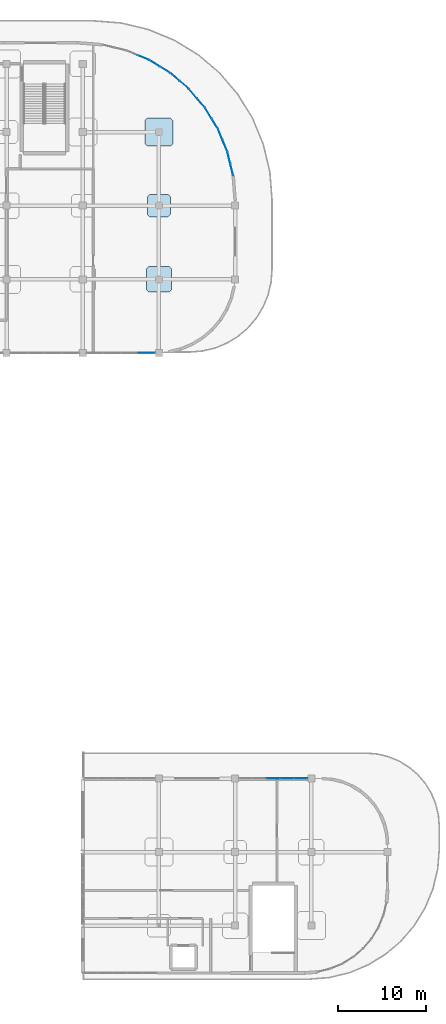
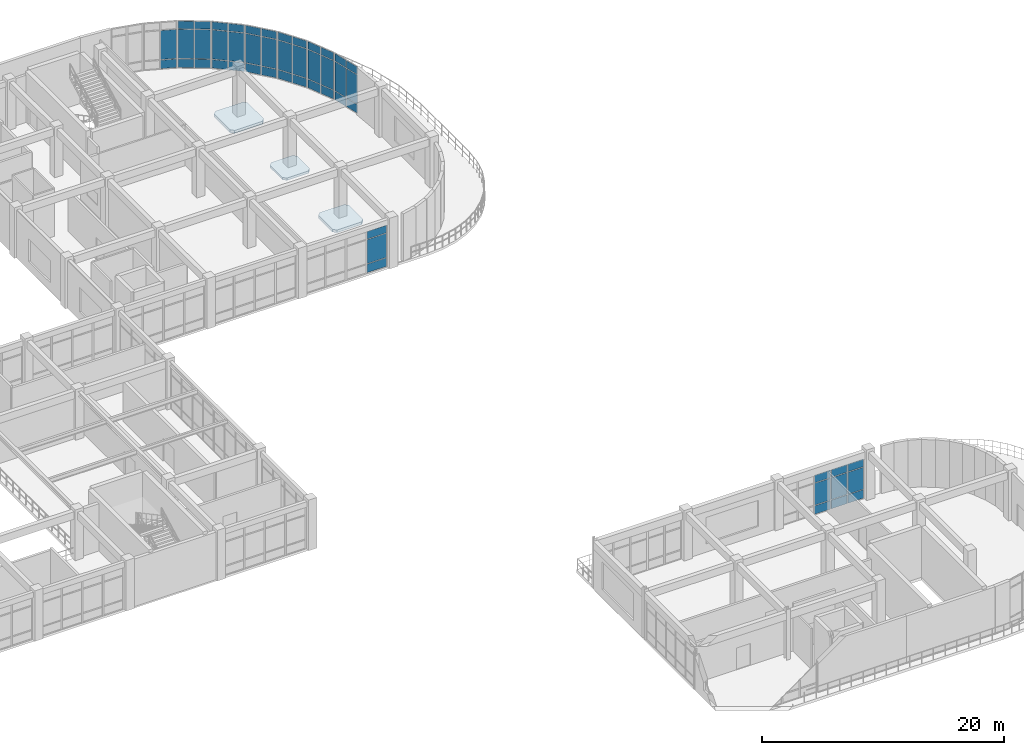
# One storey, part 77 of 96: 50 plates, 3 slabs, 9 elements without a shape of their own.
"""IFC4 building model written with IfcOpenShell, lengths in metres."""

from ifc_helpers import new_model, si_unit, derived_unit, direction, frame, origin, origin_2d, place, context, subcontext, project, spatial, polyline, rectangle, outline, extrude, material, layer, layer_set, type_object, element, aggregate, save


model = new_model("IFC4")

# Units and contexts
model_context = context("Model", 3, precision=1e-05, world=origin(), true_north=direction((0.0, 1.0)))
body_context = subcontext(model_context, "Body", "Model", "MODEL_VIEW")
ifc_project = project(units=[si_unit("LENGTHUNIT", "METRE"), si_unit("AREAUNIT", "SQUARE_METRE"), si_unit("VOLUMEUNIT", "CUBIC_METRE"), si_unit("PLANEANGLEUNIT", "RADIAN"), si_unit("MASSUNIT", "GRAM", prefix="KILO"), derived_unit("THERMALTRANSMITTANCEUNIT", [(si_unit("MASSUNIT", "GRAM", prefix="KILO"), 1), (si_unit("TIMEUNIT", "SECOND"), -3), (si_unit("THERMODYNAMICTEMPERATUREUNIT", "KELVIN"), -1)])], contexts=[model_context])

# Site, building, storey
site_placement = place(None, origin())
site = spatial("IfcSite", under=ifc_project, at=site_placement, CompositionType="ELEMENT")
building_placement = place(site_placement, origin())
building = spatial("IfcBuilding", under=site, at=building_placement, Name="Qinzheling Arcade Emporium", CompositionType="ELEMENT")
storey_placement = place(building_placement, frame((0.0, 0.0, 21.60009765625)))
storey = spatial("IfcBuildingStorey", under=building, at=storey_placement, Name="L05", CompositionType="ELEMENT", Elevation=21.60009765625)

# Slabs
ifc_material_1 = material(Name="Concrete C40", Category="concrete")
ifc_layer_1 = layer(ifc_material_1, 0.235107421875, Name="Concrete C40", Category="concrete")
ifc_layer_set_1 = layer_set([ifc_layer_1], Name="Concrete C40")
slab_type_1 = type_object("IfcSlabType", Name="Column Head Drop Panel 2600x2600x235 C40", PredefinedType="USERDEFINED", material=ifc_layer_set_1)
slab_1_placement = place(storey_placement, frame((0.0, 0.0, -0.5)))
element("IfcSlab", 1, at=slab_1_placement, inside=storey, type_object=slab_type_1, Name="Column Drop Panel DP-L05-16-L", ObjectType="DROP_PANEL", PredefinedType="USERDEFINED", context=body_context, shape_type="SweptSolid", body=[
    extrude(outline(polyline([(129.47998046875, 89.300048828125), (131.52001953125, 89.300048828125), (131.800048828125, 89.580078125), (131.800048828125, 91.6201171875), (131.52001953125, 91.89990234375), (129.47998046875, 91.89990234375), (129.199951171875, 91.6201171875), (129.199951171875, 89.580078125), (129.47998046875, 89.300048828125)])), origin(), (0.0, 0.0, 1.0), 0.23486328125),
])
ifc_layer_2 = layer(ifc_material_1, 0.27001953125, Name="Concrete C40", Category="concrete")
ifc_layer_set_2 = layer_set([ifc_layer_2], Name="Concrete C40")
slab_type_2 = type_object("IfcSlabType", Name="Column Head Drop Panel 2900x2900x270 C40", PredefinedType="USERDEFINED", material=ifc_layer_set_2)
slab_2_placement = place(storey_placement, frame((0.0, 0.0, -0.53515625)))
element("IfcSlab", 2, at=slab_2_placement, inside=storey, type_object=slab_type_2, Name="Column Drop Panel DP-L05-16-K", ObjectType="DROP_PANEL", PredefinedType="USERDEFINED", context=body_context, shape_type="SweptSolid", body=[
    extrude(outline(polyline([(129.330078125, 80.75), (131.669921875, 80.75), (131.949951171875, 81.030029296875), (131.949951171875, 83.3701171875), (131.669921875, 83.64990234375), (129.330078125, 83.64990234375), (129.050048828125, 83.3701171875), (129.050048828125, 81.030029296875), (129.330078125, 80.75)])), origin(), (0.0, 0.0, 1.0), 0.27001953125),
])
ifc_layer_3 = layer(ifc_material_1, 0.300048828125, Name="Concrete C40", Category="concrete")
ifc_layer_set_3 = layer_set([ifc_layer_3], Name="Concrete C40")
slab_type_3 = type_object("IfcSlabType", Name="Column Head Drop Panel 3200x3200x300 C40", PredefinedType="USERDEFINED", material=ifc_layer_set_3)
slab_3_placement = place(storey_placement, frame((0.0, 0.0, -0.565185546875)))
element("IfcSlab", 3, at=slab_3_placement, inside=storey, type_object=slab_type_3, Name="Column Drop Panel DP-L05-16-M", ObjectType="DROP_PANEL", PredefinedType="USERDEFINED", context=body_context, shape_type="SweptSolid", body=[
    extrude(outline(polyline([(129.179931640625, 97.39990234375), (131.820068359375, 97.39990234375), (132.10009765625, 97.679931640625), (132.10009765625, 100.320068359375), (131.820068359375, 100.60009765625), (129.179931640625, 100.60009765625), (128.89990234375, 100.320068359375), (128.89990234375, 97.679931640625), (129.179931640625, 97.39990234375)])), origin(), (0.0, 0.0, 1.0), 0.300048828125),
])

# Curtain wall, plates
ifc_material_2 = material(Name="Anodised aluminium and solar-control double glazing", Category="aluminium")
ifc_layer_4 = layer(ifc_material_2, 0.159912109375, Name="Anodised aluminium and solar-control double glazing", Category="aluminium")
ifc_layer_set_4 = layer_set([ifc_layer_4], Name="Anodised aluminium and solar-control double glazing")
curtain_wall_type_1 = type_object("IfcCurtainWallType", Name="Curved Ribbon Sales Curtain Wall", PredefinedType="NOTDEFINED", material=ifc_layer_set_4)
curtain_wall_1_placement = place(storey_placement, origin())
curtain_wall_1 = element("IfcCurtainWall", 4, at=curtain_wall_1_placement, inside=storey, type_object=curtain_wall_type_1, Name="Curtain Wall CW-L05-336", PredefinedType="NOTDEFINED")
ifc_material_3 = material(Name="Laminated solar-control double glazing", Category="glass")
ifc_layer_5 = layer(ifc_material_3, 0.02587890625, Name="Laminated solar-control double glazing", Category="glass")
ifc_layer_set_5 = layer_set([ifc_layer_5], Name="Laminated solar-control double glazing")
plate_type_1 = type_object("IfcPlateType", Name="Low-E Double Glazed Curtain Panel 26mm", PredefinedType="CURTAIN_PANEL", material=ifc_layer_set_5)
plate_1_placement = place(storey_placement, frame((128.70556640625, 107.513916015625, 0.06005859375), z_axis=(0.0, 0.0, 1.0), x_axis=(0.923891721508, -0.382654004198, 0.0)))
plate_1 = element("IfcPlate", 5, at=plate_1_placement, type_object=plate_type_1, Name="CW02 panel 2.1", PredefinedType="CURTAIN_PANEL", context=body_context, shape_type="SweptSolid", body=[
    extrude(rectangle(XDim=1.322509765625, YDim=0.02587890625, at=origin_2d()), origin(), (0.0, 0.0, 1.0), 0.860107421875),
])
plate_2_placement = place(storey_placement, frame((128.70556640625, 107.513916015625, 0.97998046875), z_axis=(0.0, 0.0, 1.0), x_axis=(0.923891721508, -0.382654004198, 0.0)))
plate_2 = element("IfcPlate", 6, at=plate_2_placement, type_object=plate_type_1, Name="CW02 panel 2.2", PredefinedType="CURTAIN_PANEL", context=body_context, shape_type="SweptSolid", body=[
    extrude(rectangle(XDim=1.322509765625, YDim=0.02587890625, at=origin_2d()), origin(), (0.0, 0.0, 1.0), 2.929931640625),
])
aggregate(curtain_wall_1, [plate_1, plate_2])

curtain_wall_2_placement = place(storey_placement, origin())
curtain_wall_2 = element("IfcCurtainWall", 7, at=curtain_wall_2_placement, inside=storey, type_object=curtain_wall_type_1, Name="Curtain Wall CW-L05-337", PredefinedType="NOTDEFINED")
ifc_layer_6 = layer(ifc_material_3, 0.027099609375, Name="Laminated solar-control double glazing", Category="glass")
ifc_layer_set_6 = layer_set([ifc_layer_6], Name="Laminated solar-control double glazing")
plate_type_2 = type_object("IfcPlateType", Name="Low-E Double Glazed Curtain Panel 27mm", PredefinedType="CURTAIN_PANEL", material=ifc_layer_set_6)
plate_3_placement = place(storey_placement, frame((129.98681640625, 106.861083984375, 0.06005859375), z_axis=(0.0, 0.0, 1.0), x_axis=(0.852580897222, -0.522595267575, 0.0)))
plate_3 = element("IfcPlate", 8, at=plate_3_placement, type_object=plate_type_2, Name="CW02 panel 1.1", PredefinedType="CURTAIN_PANEL", context=body_context, shape_type="SweptSolid", body=[
    extrude(rectangle(XDim=1.322265625, YDim=0.027099609375, at=origin_2d()), origin(), (0.0, 0.0, 1.0), 0.860107421875),
])
plate_4_placement = place(storey_placement, frame((129.98681640625, 106.861083984375, 0.97998046875), z_axis=(0.0, 0.0, 1.0), x_axis=(0.852580897222, -0.522595267575, 0.0)))
plate_4 = element("IfcPlate", 9, at=plate_4_placement, type_object=plate_type_2, Name="CW02 panel 1.2", PredefinedType="CURTAIN_PANEL", context=body_context, shape_type="SweptSolid", body=[
    extrude(rectangle(XDim=1.322265625, YDim=0.027099609375, at=origin_2d()), origin(), (0.0, 0.0, 1.0), 2.929931640625),
])
plate_5_placement = place(storey_placement, frame((129.98681640625, 106.861083984375, 3.9697265625), z_axis=(0.0, 0.0, 1.0), x_axis=(0.852580897222, -0.522595267575, 0.0)))
plate_5 = element("IfcPlate", 10, at=plate_5_placement, type_object=plate_type_2, Name="CW02 panel 1.3", PredefinedType="CURTAIN_PANEL", context=body_context, shape_type="SweptSolid", body=[
    extrude(rectangle(XDim=1.322265625, YDim=0.027099609375, at=origin_2d()), origin(), (0.0, 0.0, 1.0), 0.760009765625),
])
plate_6_placement = place(storey_placement, frame((131.165283203125, 106.138916015625, 0.06005859375), z_axis=(0.0, 0.0, 1.0), x_axis=(0.852580897222, -0.522595267575, 0.0)))
plate_6 = element("IfcPlate", 11, at=plate_6_placement, type_object=plate_type_2, Name="CW02 panel 2.1", PredefinedType="CURTAIN_PANEL", context=body_context, shape_type="SweptSolid", body=[
    extrude(rectangle(XDim=1.322265625, YDim=0.027099609375, at=origin_2d()), origin(), (0.0, 0.0, 1.0), 0.860107421875),
])
plate_7_placement = place(storey_placement, frame((131.165283203125, 106.138916015625, 0.97998046875), z_axis=(0.0, 0.0, 1.0), x_axis=(0.852580897222, -0.522595267575, 0.0)))
plate_7 = element("IfcPlate", 12, at=plate_7_placement, type_object=plate_type_2, Name="CW02 panel 2.2", PredefinedType="CURTAIN_PANEL", context=body_context, shape_type="SweptSolid", body=[
    extrude(rectangle(XDim=1.322265625, YDim=0.027099609375, at=origin_2d()), origin(), (0.0, 0.0, 1.0), 2.929931640625),
])
plate_8_placement = place(storey_placement, frame((131.165283203125, 106.138916015625, 3.9697265625), z_axis=(0.0, 0.0, 1.0), x_axis=(0.852580897222, -0.522595267575, 0.0)))
plate_8 = element("IfcPlate", 13, at=plate_8_placement, type_object=plate_type_2, Name="CW02 panel 2.3", PredefinedType="CURTAIN_PANEL", context=body_context, shape_type="SweptSolid", body=[
    extrude(rectangle(XDim=1.322265625, YDim=0.027099609375, at=origin_2d()), origin(), (0.0, 0.0, 1.0), 0.760009765625),
])
aggregate(curtain_wall_2, [plate_3, plate_4, plate_5, plate_6, plate_7, plate_8])

curtain_wall_3_placement = place(storey_placement, origin())
curtain_wall_3 = element("IfcCurtainWall", 14, at=curtain_wall_3_placement, inside=storey, type_object=curtain_wall_type_1, Name="Curtain Wall CW-L05-338", PredefinedType="NOTDEFINED")
ifc_layer_7 = layer(ifc_material_3, 0.028076171875, Name="Laminated solar-control double glazing", Category="glass")
ifc_layer_set_7 = layer_set([ifc_layer_7], Name="Laminated solar-control double glazing")
plate_type_3 = type_object("IfcPlateType", Name="Low-E Double Glazed Curtain Panel 28mm", PredefinedType="CURTAIN_PANEL", material=ifc_layer_set_7)
plate_9_placement = place(storey_placement, frame((132.328369140625, 105.293701171875, 0.06005859375), z_axis=(0.0, 0.0, 1.0), x_axis=(0.760504799831, -0.64933231048, 0.0)))
plate_9 = element("IfcPlate", 15, at=plate_9_placement, type_object=plate_type_3, Name="CW02 panel 1.1", PredefinedType="CURTAIN_PANEL", context=body_context, shape_type="SweptSolid", body=[
    extrude(rectangle(XDim=1.322265625, YDim=0.028076171875, at=origin_2d()), origin(), (0.0, 0.0, 1.0), 0.860107421875),
])
plate_10_placement = place(storey_placement, frame((132.328369140625, 105.293701171875, 0.97998046875), z_axis=(0.0, 0.0, 1.0), x_axis=(0.760504799831, -0.64933231048, 0.0)))
plate_10 = element("IfcPlate", 16, at=plate_10_placement, type_object=plate_type_3, Name="CW02 panel 1.2", PredefinedType="CURTAIN_PANEL", context=body_context, shape_type="SweptSolid", body=[
    extrude(rectangle(XDim=1.322265625, YDim=0.028076171875, at=origin_2d()), origin(), (0.0, 0.0, 1.0), 2.929931640625),
])
plate_11_placement = place(storey_placement, frame((132.328369140625, 105.293701171875, 3.9697265625), z_axis=(0.0, 0.0, 1.0), x_axis=(0.760504799831, -0.64933231048, 0.0)))
plate_11 = element("IfcPlate", 17, at=plate_11_placement, type_object=plate_type_3, Name="CW02 panel 1.3", PredefinedType="CURTAIN_PANEL", context=body_context, shape_type="SweptSolid", body=[
    extrude(rectangle(XDim=1.322265625, YDim=0.028076171875, at=origin_2d()), origin(), (0.0, 0.0, 1.0), 0.760009765625),
])
plate_12_placement = place(storey_placement, frame((133.379638671875, 104.396240234375, 0.06005859375), z_axis=(0.0, 0.0, 1.0), x_axis=(0.760504799831, -0.64933231048, 0.0)))
plate_12 = element("IfcPlate", 18, at=plate_12_placement, type_object=plate_type_3, Name="CW02 panel 2.1", PredefinedType="CURTAIN_PANEL", context=body_context, shape_type="SweptSolid", body=[
    extrude(rectangle(XDim=1.322265625, YDim=0.028076171875, at=origin_2d()), origin(), (0.0, 0.0, 1.0), 0.860107421875),
])
plate_13_placement = place(storey_placement, frame((133.379638671875, 104.396240234375, 0.97998046875), z_axis=(0.0, 0.0, 1.0), x_axis=(0.760504799831, -0.64933231048, 0.0)))
plate_13 = element("IfcPlate", 19, at=plate_13_placement, type_object=plate_type_3, Name="CW02 panel 2.2", PredefinedType="CURTAIN_PANEL", context=body_context, shape_type="SweptSolid", body=[
    extrude(rectangle(XDim=1.322265625, YDim=0.028076171875, at=origin_2d()), origin(), (0.0, 0.0, 1.0), 2.929931640625),
])
plate_14_placement = place(storey_placement, frame((133.379638671875, 104.396240234375, 3.9697265625), z_axis=(0.0, 0.0, 1.0), x_axis=(0.760504799831, -0.64933231048, 0.0)))
plate_14 = element("IfcPlate", 20, at=plate_14_placement, type_object=plate_type_3, Name="CW02 panel 2.3", PredefinedType="CURTAIN_PANEL", context=body_context, shape_type="SweptSolid", body=[
    extrude(rectangle(XDim=1.322265625, YDim=0.028076171875, at=origin_2d()), origin(), (0.0, 0.0, 1.0), 0.760009765625),
])
aggregate(curtain_wall_3, [plate_9, plate_10, plate_11, plate_12, plate_13, plate_14])

curtain_wall_4_placement = place(storey_placement, origin())
curtain_wall_4 = element("IfcCurtainWall", 21, at=curtain_wall_4_placement, inside=storey, type_object=curtain_wall_type_1, Name="Curtain Wall CW-L05-339", PredefinedType="NOTDEFINED")
ifc_layer_8 = layer(ifc_material_3, 0.029052734375, Name="Laminated solar-control double glazing", Category="glass")
ifc_layer_set_8 = layer_set([ifc_layer_8], Name="Laminated solar-control double glazing")
plate_type_4 = type_object("IfcPlateType", Name="Low-E Double Glazed Curtain Panel 29mm", PredefinedType="CURTAIN_PANEL", material=ifc_layer_set_8)
plate_15_placement = place(storey_placement, frame((134.396240234375, 103.379638671875, 0.06005859375), z_axis=(0.0, 0.0, 1.0), x_axis=(0.64933231048, -0.760504799831, 0.0)))
plate_15 = element("IfcPlate", 22, at=plate_15_placement, type_object=plate_type_4, Name="CW02 panel 1.1", PredefinedType="CURTAIN_PANEL", context=body_context, shape_type="SweptSolid", body=[
    extrude(rectangle(XDim=1.322265625, YDim=0.029052734375, at=origin_2d()), origin(), (0.0, 0.0, 1.0), 0.860107421875),
])
plate_16_placement = place(storey_placement, frame((134.396240234375, 103.379638671875, 0.97998046875), z_axis=(0.0, 0.0, 1.0), x_axis=(0.64933231048, -0.760504799831, 0.0)))
plate_16 = element("IfcPlate", 23, at=plate_16_placement, type_object=plate_type_4, Name="CW02 panel 1.2", PredefinedType="CURTAIN_PANEL", context=body_context, shape_type="SweptSolid", body=[
    extrude(rectangle(XDim=1.322265625, YDim=0.029052734375, at=origin_2d()), origin(), (0.0, 0.0, 1.0), 2.929931640625),
])
plate_17_placement = place(storey_placement, frame((134.396240234375, 103.379638671875, 3.9697265625), z_axis=(0.0, 0.0, 1.0), x_axis=(0.64933231048, -0.760504799831, 0.0)))
plate_17 = element("IfcPlate", 24, at=plate_17_placement, type_object=plate_type_4, Name="CW02 panel 1.3", PredefinedType="CURTAIN_PANEL", context=body_context, shape_type="SweptSolid", body=[
    extrude(rectangle(XDim=1.322265625, YDim=0.029052734375, at=origin_2d()), origin(), (0.0, 0.0, 1.0), 0.760009765625),
])
plate_18_placement = place(storey_placement, frame((135.293701171875, 102.328369140625, 0.06005859375), z_axis=(0.0, 0.0, 1.0), x_axis=(0.64933231048, -0.760504799831, 0.0)))
plate_18 = element("IfcPlate", 25, at=plate_18_placement, type_object=plate_type_4, Name="CW02 panel 2.1", PredefinedType="CURTAIN_PANEL", context=body_context, shape_type="SweptSolid", body=[
    extrude(rectangle(XDim=1.322265625, YDim=0.029052734375, at=origin_2d()), origin(), (0.0, 0.0, 1.0), 0.860107421875),
])
plate_19_placement = place(storey_placement, frame((135.293701171875, 102.328369140625, 0.97998046875), z_axis=(0.0, 0.0, 1.0), x_axis=(0.64933231048, -0.760504799831, 0.0)))
plate_19 = element("IfcPlate", 26, at=plate_19_placement, type_object=plate_type_4, Name="CW02 panel 2.2", PredefinedType="CURTAIN_PANEL", context=body_context, shape_type="SweptSolid", body=[
    extrude(rectangle(XDim=1.322265625, YDim=0.029052734375, at=origin_2d()), origin(), (0.0, 0.0, 1.0), 2.929931640625),
])
plate_20_placement = place(storey_placement, frame((135.293701171875, 102.328369140625, 3.9697265625), z_axis=(0.0, 0.0, 1.0), x_axis=(0.64933231048, -0.760504799831, 0.0)))
plate_20 = element("IfcPlate", 27, at=plate_20_placement, type_object=plate_type_4, Name="CW02 panel 2.3", PredefinedType="CURTAIN_PANEL", context=body_context, shape_type="SweptSolid", body=[
    extrude(rectangle(XDim=1.322265625, YDim=0.029052734375, at=origin_2d()), origin(), (0.0, 0.0, 1.0), 0.760009765625),
])
aggregate(curtain_wall_4, [plate_15, plate_16, plate_17, plate_18, plate_19, plate_20])

curtain_wall_5_placement = place(storey_placement, origin())
curtain_wall_5 = element("IfcCurtainWall", 28, at=curtain_wall_5_placement, inside=storey, type_object=curtain_wall_type_1, Name="Curtain Wall CW-L05-340", PredefinedType="NOTDEFINED")
ifc_layer_9 = layer(ifc_material_3, 0.030029296875, Name="Laminated solar-control double glazing", Category="glass")
ifc_layer_set_9 = layer_set([ifc_layer_9], Name="Laminated solar-control double glazing")
plate_type_5 = type_object("IfcPlateType", Name="Low-E Double Glazed Curtain Panel 30mm", PredefinedType="CURTAIN_PANEL", material=ifc_layer_set_9)
plate_21_placement = place(storey_placement, frame((136.138916015625, 101.165283203125, 0.06005859375), z_axis=(0.0, 0.0, 1.0), x_axis=(0.522595267575, -0.852580897222, 0.0)))
plate_21 = element("IfcPlate", 29, at=plate_21_placement, type_object=plate_type_5, Name="CW02 panel 1.1", PredefinedType="CURTAIN_PANEL", context=body_context, shape_type="SweptSolid", body=[
    extrude(rectangle(XDim=1.322265625, YDim=0.030029296875, at=origin_2d()), origin(), (0.0, 0.0, 1.0), 0.860107421875),
])
plate_22_placement = place(storey_placement, frame((136.138916015625, 101.165283203125, 0.97998046875), z_axis=(0.0, 0.0, 1.0), x_axis=(0.522595267575, -0.852580897222, 0.0)))
plate_22 = element("IfcPlate", 30, at=plate_22_placement, type_object=plate_type_5, Name="CW02 panel 1.2", PredefinedType="CURTAIN_PANEL", context=body_context, shape_type="SweptSolid", body=[
    extrude(rectangle(XDim=1.322265625, YDim=0.030029296875, at=origin_2d()), origin(), (0.0, 0.0, 1.0), 2.929931640625),
])
plate_23_placement = place(storey_placement, frame((136.138916015625, 101.165283203125, 3.9697265625), z_axis=(0.0, 0.0, 1.0), x_axis=(0.522595267575, -0.852580897222, 0.0)))
plate_23 = element("IfcPlate", 31, at=plate_23_placement, type_object=plate_type_5, Name="CW02 panel 1.3", PredefinedType="CURTAIN_PANEL", context=body_context, shape_type="SweptSolid", body=[
    extrude(rectangle(XDim=1.322265625, YDim=0.030029296875, at=origin_2d()), origin(), (0.0, 0.0, 1.0), 0.760009765625),
])
plate_24_placement = place(storey_placement, frame((136.861083984375, 99.98681640625, 0.06005859375), z_axis=(0.0, 0.0, 1.0), x_axis=(0.522595267575, -0.852580897222, 0.0)))
plate_24 = element("IfcPlate", 32, at=plate_24_placement, type_object=plate_type_5, Name="CW02 panel 2.1", PredefinedType="CURTAIN_PANEL", context=body_context, shape_type="SweptSolid", body=[
    extrude(rectangle(XDim=1.322265625, YDim=0.030029296875, at=origin_2d()), origin(), (0.0, 0.0, 1.0), 0.860107421875),
])
plate_25_placement = place(storey_placement, frame((136.861083984375, 99.98681640625, 0.97998046875), z_axis=(0.0, 0.0, 1.0), x_axis=(0.522595267575, -0.852580897222, 0.0)))
plate_25 = element("IfcPlate", 33, at=plate_25_placement, type_object=plate_type_5, Name="CW02 panel 2.2", PredefinedType="CURTAIN_PANEL", context=body_context, shape_type="SweptSolid", body=[
    extrude(rectangle(XDim=1.322265625, YDim=0.030029296875, at=origin_2d()), origin(), (0.0, 0.0, 1.0), 2.929931640625),
])
plate_26_placement = place(storey_placement, frame((136.861083984375, 99.98681640625, 3.9697265625), z_axis=(0.0, 0.0, 1.0), x_axis=(0.522595267575, -0.852580897222, 0.0)))
plate_26 = element("IfcPlate", 34, at=plate_26_placement, type_object=plate_type_5, Name="CW02 panel 2.3", PredefinedType="CURTAIN_PANEL", context=body_context, shape_type="SweptSolid", body=[
    extrude(rectangle(XDim=1.322265625, YDim=0.030029296875, at=origin_2d()), origin(), (0.0, 0.0, 1.0), 0.760009765625),
])
aggregate(curtain_wall_5, [plate_21, plate_22, plate_23, plate_24, plate_25, plate_26])

curtain_wall_6_placement = place(storey_placement, origin())
curtain_wall_6 = element("IfcCurtainWall", 35, at=curtain_wall_6_placement, inside=storey, type_object=curtain_wall_type_1, Name="Curtain Wall CW-L05-341", PredefinedType="NOTDEFINED")
ifc_layer_10 = layer(ifc_material_3, 0.031005859375, Name="Laminated solar-control double glazing", Category="glass")
ifc_layer_set_10 = layer_set([ifc_layer_10], Name="Laminated solar-control double glazing")
plate_type_6 = type_object("IfcPlateType", Name="Low-E Double Glazed Curtain Panel 31mm", PredefinedType="CURTAIN_PANEL", material=ifc_layer_set_10)
plate_27_placement = place(storey_placement, frame((137.513916015625, 98.70556640625, 0.06005859375), z_axis=(0.0, 0.0, 1.0), x_axis=(0.382654004198, -0.923891721508, 0.0)))
plate_27 = element("IfcPlate", 36, at=plate_27_placement, type_object=plate_type_6, Name="CW02 panel 1.1", PredefinedType="CURTAIN_PANEL", context=body_context, shape_type="SweptSolid", body=[
    extrude(rectangle(XDim=1.322509765625, YDim=0.031005859375, at=origin_2d()), origin(), (0.0, 0.0, 1.0), 0.860107421875),
])
plate_28_placement = place(storey_placement, frame((137.513916015625, 98.70556640625, 0.97998046875), z_axis=(0.0, 0.0, 1.0), x_axis=(0.382654004198, -0.923891721508, 0.0)))
plate_28 = element("IfcPlate", 37, at=plate_28_placement, type_object=plate_type_6, Name="CW02 panel 1.2", PredefinedType="CURTAIN_PANEL", context=body_context, shape_type="SweptSolid", body=[
    extrude(rectangle(XDim=1.322509765625, YDim=0.031005859375, at=origin_2d()), origin(), (0.0, 0.0, 1.0), 2.929931640625),
])
plate_29_placement = place(storey_placement, frame((137.513916015625, 98.70556640625, 3.9697265625), z_axis=(0.0, 0.0, 1.0), x_axis=(0.382654004198, -0.923891721508, 0.0)))
plate_29 = element("IfcPlate", 38, at=plate_29_placement, type_object=plate_type_6, Name="CW02 panel 1.3", PredefinedType="CURTAIN_PANEL", context=body_context, shape_type="SweptSolid", body=[
    extrude(rectangle(XDim=1.322509765625, YDim=0.031005859375, at=origin_2d()), origin(), (0.0, 0.0, 1.0), 0.760009765625),
])
plate_30_placement = place(storey_placement, frame((138.04296875, 97.428466796875, 0.06005859375), z_axis=(0.0, 0.0, 1.0), x_axis=(0.382654004198, -0.923891721508, 0.0)))
plate_30 = element("IfcPlate", 39, at=plate_30_placement, type_object=plate_type_6, Name="CW02 panel 2.1", PredefinedType="CURTAIN_PANEL", context=body_context, shape_type="SweptSolid", body=[
    extrude(rectangle(XDim=1.322509765625, YDim=0.031005859375, at=origin_2d()), origin(), (0.0, 0.0, 1.0), 0.860107421875),
])
plate_31_placement = place(storey_placement, frame((138.04296875, 97.428466796875, 0.97998046875), z_axis=(0.0, 0.0, 1.0), x_axis=(0.382654004198, -0.923891721508, 0.0)))
plate_31 = element("IfcPlate", 40, at=plate_31_placement, type_object=plate_type_6, Name="CW02 panel 2.2", PredefinedType="CURTAIN_PANEL", context=body_context, shape_type="SweptSolid", body=[
    extrude(rectangle(XDim=1.322509765625, YDim=0.031005859375, at=origin_2d()), origin(), (0.0, 0.0, 1.0), 2.929931640625),
])
plate_32_placement = place(storey_placement, frame((138.04296875, 97.428466796875, 3.9697265625), z_axis=(0.0, 0.0, 1.0), x_axis=(0.382654004198, -0.923891721508, 0.0)))
plate_32 = element("IfcPlate", 41, at=plate_32_placement, type_object=plate_type_6, Name="CW02 panel 2.3", PredefinedType="CURTAIN_PANEL", context=body_context, shape_type="SweptSolid", body=[
    extrude(rectangle(XDim=1.322509765625, YDim=0.031005859375, at=origin_2d()), origin(), (0.0, 0.0, 1.0), 0.760009765625),
])
aggregate(curtain_wall_6, [plate_27, plate_28, plate_29, plate_30, plate_31, plate_32])

curtain_wall_7_placement = place(storey_placement, origin())
curtain_wall_7 = element("IfcCurtainWall", 42, at=curtain_wall_7_placement, inside=storey, type_object=curtain_wall_type_1, Name="Curtain Wall CW-L05-342", PredefinedType="NOTDEFINED")
ifc_layer_11 = layer(ifc_material_3, 0.031982421875, Name="Laminated solar-control double glazing", Category="glass")
ifc_layer_set_11 = layer_set([ifc_layer_11], Name="Laminated solar-control double glazing")
plate_type_7 = type_object("IfcPlateType", Name="Low-E Double Glazed Curtain Panel 32mm", PredefinedType="CURTAIN_PANEL", material=ifc_layer_set_11)
plate_33_placement = place(storey_placement, frame((138.4873046875, 96.06103515625, 0.06005859375), z_axis=(0.0, 0.0, 1.0), x_axis=(0.233359559423, -0.972390516216, 0.0)))
plate_33 = element("IfcPlate", 43, at=plate_33_placement, type_object=plate_type_7, Name="CW02 panel 1.1", PredefinedType="CURTAIN_PANEL", context=body_context, shape_type="SweptSolid", body=[
    extrude(rectangle(XDim=1.322021484375, YDim=0.031982421875, at=origin_2d()), origin(), (0.0, 0.0, 1.0), 0.860107421875),
])
plate_34_placement = place(storey_placement, frame((138.4873046875, 96.06103515625, 0.97998046875), z_axis=(0.0, 0.0, 1.0), x_axis=(0.233359559423, -0.972390516216, 0.0)))
plate_34 = element("IfcPlate", 44, at=plate_34_placement, type_object=plate_type_7, Name="CW02 panel 1.2", PredefinedType="CURTAIN_PANEL", context=body_context, shape_type="SweptSolid", body=[
    extrude(rectangle(XDim=1.322021484375, YDim=0.031982421875, at=origin_2d()), origin(), (0.0, 0.0, 1.0), 2.929931640625),
])
plate_35_placement = place(storey_placement, frame((138.4873046875, 96.06103515625, 3.9697265625), z_axis=(0.0, 0.0, 1.0), x_axis=(0.233359559423, -0.972390516216, 0.0)))
plate_35 = element("IfcPlate", 45, at=plate_35_placement, type_object=plate_type_7, Name="CW02 panel 1.3", PredefinedType="CURTAIN_PANEL", context=body_context, shape_type="SweptSolid", body=[
    extrude(rectangle(XDim=1.322021484375, YDim=0.031982421875, at=origin_2d()), origin(), (0.0, 0.0, 1.0), 0.760009765625),
])
plate_36_placement = place(storey_placement, frame((138.809814453125, 94.717041015625, 0.06005859375), z_axis=(0.0, 0.0, 1.0), x_axis=(0.233359559423, -0.972390516216, 0.0)))
plate_36 = element("IfcPlate", 46, at=plate_36_placement, type_object=plate_type_7, Name="CW02 panel 2.1", PredefinedType="CURTAIN_PANEL", context=body_context, shape_type="SweptSolid", body=[
    extrude(rectangle(XDim=1.322021484375, YDim=0.031982421875, at=origin_2d()), origin(), (0.0, 0.0, 1.0), 0.860107421875),
])
plate_37_placement = place(storey_placement, frame((138.809814453125, 94.717041015625, 0.97998046875), z_axis=(0.0, 0.0, 1.0), x_axis=(0.233359559423, -0.972390516216, 0.0)))
plate_37 = element("IfcPlate", 47, at=plate_37_placement, type_object=plate_type_7, Name="CW02 panel 2.2", PredefinedType="CURTAIN_PANEL", context=body_context, shape_type="SweptSolid", body=[
    extrude(rectangle(XDim=1.322021484375, YDim=0.031982421875, at=origin_2d()), origin(), (0.0, 0.0, 1.0), 2.929931640625),
])
plate_38_placement = place(storey_placement, frame((138.809814453125, 94.717041015625, 3.9697265625), z_axis=(0.0, 0.0, 1.0), x_axis=(0.233359559423, -0.972390516216, 0.0)))
plate_38 = element("IfcPlate", 48, at=plate_38_placement, type_object=plate_type_7, Name="CW02 panel 2.3", PredefinedType="CURTAIN_PANEL", context=body_context, shape_type="SweptSolid", body=[
    extrude(rectangle(XDim=1.322021484375, YDim=0.031982421875, at=origin_2d()), origin(), (0.0, 0.0, 1.0), 0.760009765625),
])
aggregate(curtain_wall_7, [plate_33, plate_34, plate_35, plate_36, plate_37, plate_38])

ifc_layer_12 = layer(ifc_material_2, 0.159912109375, Name="Anodised aluminium and solar-control double glazing", Category="aluminium")
ifc_layer_set_12 = layer_set([ifc_layer_12], Name="Anodised aluminium and solar-control double glazing")
curtain_wall_type_2 = type_object("IfcCurtainWallType", Name="Arcade Portal Glazed Curtain Wall", PredefinedType="NOTDEFINED", material=ifc_layer_set_12)
curtain_wall_8_placement = place(storey_placement, origin())
curtain_wall_8 = element("IfcCurtainWall", 49, at=curtain_wall_8_placement, inside=storey, type_object=curtain_wall_type_2, Name="Curtain Wall CW-L05-343", PredefinedType="NOTDEFINED")
ifc_layer_13 = layer(ifc_material_3, 0.033935546875, Name="Laminated solar-control double glazing", Category="glass")
ifc_layer_set_13 = layer_set([ifc_layer_13], Name="Laminated solar-control double glazing")
plate_type_8 = type_object("IfcPlateType", Name="Low-E Double Glazed Curtain Panel 34mm", PredefinedType="CURTAIN_PANEL", material=ifc_layer_set_13)
plate_39_placement = place(storey_placement, frame((129.095947265625, 73.800048828125, 0.06005859375), z_axis=(0.0, 0.0, 1.0), x_axis=(-1.0, 0.0, 0.0)))
plate_39 = element("IfcPlate", 50, at=plate_39_placement, type_object=plate_type_8, Name="CW05 panel 1.1", PredefinedType="CURTAIN_PANEL", context=body_context, shape_type="SweptSolid", body=[
    extrude(rectangle(XDim=1.884033203125, YDim=0.033935546875, at=origin_2d()), origin(), (0.0, 0.0, 1.0), 0.860107421875),
])
plate_40_placement = place(storey_placement, frame((129.095947265625, 73.800048828125, 0.97998046875), z_axis=(0.0, 0.0, 1.0), x_axis=(-1.0, 0.0, 0.0)))
plate_40 = element("IfcPlate", 51, at=plate_40_placement, type_object=plate_type_8, Name="CW05 panel 1.2", PredefinedType="CURTAIN_PANEL", context=body_context, shape_type="SweptSolid", body=[
    extrude(rectangle(XDim=1.884033203125, YDim=0.033935546875, at=origin_2d()), origin(), (0.0, 0.0, 1.0), 2.409912109375),
])
plate_41_placement = place(storey_placement, frame((129.095947265625, 73.800048828125, 3.44970703125), z_axis=(0.0, 0.0, 1.0), x_axis=(-1.0, 0.0, 0.0)))
plate_41 = element("IfcPlate", 52, at=plate_41_placement, type_object=plate_type_8, Name="CW05 panel 1.3", PredefinedType="CURTAIN_PANEL", context=body_context, shape_type="SweptSolid", body=[
    extrude(rectangle(XDim=1.884033203125, YDim=0.033935546875, at=origin_2d()), origin(), (0.0, 0.0, 1.0), 0.760009765625),
])
aggregate(curtain_wall_8, [plate_39, plate_40, plate_41])

ifc_layer_14 = layer(ifc_material_2, 0.159912109375, Name="Anodised aluminium and solar-control double glazing", Category="aluminium")
ifc_layer_set_14 = layer_set([ifc_layer_14], Name="Anodised aluminium and solar-control double glazing")
curtain_wall_type_3 = type_object("IfcCurtainWallType", Name="Food Hall Loggia Curtain Wall", PredefinedType="NOTDEFINED", material=ifc_layer_set_14)
curtain_wall_9_placement = place(storey_placement, origin())
curtain_wall_9 = element("IfcCurtainWall", 53, at=curtain_wall_9_placement, inside=storey, type_object=curtain_wall_type_3, Name="Curtain Wall CW-L05-297", PredefinedType="NOTDEFINED")
ifc_layer_15 = layer(ifc_material_3, 0.0380859375, Name="Laminated solar-control double glazing", Category="glass")
ifc_layer_set_15 = layer_set([ifc_layer_15], Name="Laminated solar-control double glazing")
plate_type_9 = type_object("IfcPlateType", Name="Low-E Double Glazed Curtain Panel 38mm", PredefinedType="CURTAIN_PANEL", material=ifc_layer_set_15)
plate_42_placement = place(storey_placement, frame((143.550048828125, 25.199951171875, 0.06005859375), z_axis=(0.0, 0.0, 1.0), x_axis=(1.0, 0.0, 0.0)))
plate_42 = element("IfcPlate", 54, at=plate_42_placement, type_object=plate_type_9, Name="CW04 panel 3.1", PredefinedType="CURTAIN_PANEL", context=body_context, shape_type="SweptSolid", body=[
    extrude(rectangle(XDim=1.519287109375, YDim=0.0380859375, at=origin_2d()), origin(), (0.0, 0.0, 1.0), 0.860107421875),
])
plate_43_placement = place(storey_placement, frame((143.550048828125, 25.199951171875, 0.97998046875), z_axis=(0.0, 0.0, 1.0), x_axis=(1.0, 0.0, 0.0)))
plate_43 = element("IfcPlate", 55, at=plate_43_placement, type_object=plate_type_9, Name="CW04 panel 3.2", PredefinedType="CURTAIN_PANEL", context=body_context, shape_type="SweptSolid", body=[
    extrude(rectangle(XDim=1.519287109375, YDim=0.0380859375, at=origin_2d()), origin(), (0.0, 0.0, 1.0), 2.195068359375),
])
plate_44_placement = place(storey_placement, frame((143.550048828125, 25.199951171875, 3.23486328125), z_axis=(0.0, 0.0, 1.0), x_axis=(1.0, 0.0, 0.0)))
plate_44 = element("IfcPlate", 56, at=plate_44_placement, type_object=plate_type_9, Name="CW04 panel 3.3", PredefinedType="CURTAIN_PANEL", context=body_context, shape_type="SweptSolid", body=[
    extrude(rectangle(XDim=1.519287109375, YDim=0.0380859375, at=origin_2d()), origin(), (0.0, 0.0, 1.0), 0.760009765625),
])
plate_45_placement = place(storey_placement, frame((145.129150390625, 25.199951171875, 0.06005859375), z_axis=(0.0, 0.0, 1.0), x_axis=(1.0, 0.0, 0.0)))
plate_45 = element("IfcPlate", 57, at=plate_45_placement, type_object=plate_type_9, Name="CW04 panel 4.1", PredefinedType="CURTAIN_PANEL", context=body_context, shape_type="SweptSolid", body=[
    extrude(rectangle(XDim=1.519287109375, YDim=0.0380859375, at=origin_2d()), origin(), (0.0, 0.0, 1.0), 0.860107421875),
])
plate_46_placement = place(storey_placement, frame((145.129150390625, 25.199951171875, 0.97998046875), z_axis=(0.0, 0.0, 1.0), x_axis=(1.0, 0.0, 0.0)))
plate_46 = element("IfcPlate", 58, at=plate_46_placement, type_object=plate_type_9, Name="CW04 panel 4.2", PredefinedType="CURTAIN_PANEL", context=body_context, shape_type="SweptSolid", body=[
    extrude(rectangle(XDim=1.519287109375, YDim=0.0380859375, at=origin_2d()), origin(), (0.0, 0.0, 1.0), 2.195068359375),
])
plate_47_placement = place(storey_placement, frame((145.129150390625, 25.199951171875, 3.23486328125), z_axis=(0.0, 0.0, 1.0), x_axis=(1.0, 0.0, 0.0)))
plate_47 = element("IfcPlate", 59, at=plate_47_placement, type_object=plate_type_9, Name="CW04 panel 4.3", PredefinedType="CURTAIN_PANEL", context=body_context, shape_type="SweptSolid", body=[
    extrude(rectangle(XDim=1.519287109375, YDim=0.0380859375, at=origin_2d()), origin(), (0.0, 0.0, 1.0), 0.760009765625),
])
plate_48_placement = place(storey_placement, frame((146.693359375, 25.199951171875, 0.06005859375), z_axis=(0.0, 0.0, 1.0), x_axis=(1.0, 0.0, 0.0)))
plate_48 = element("IfcPlate", 60, at=plate_48_placement, type_object=plate_type_9, Name="CW04 panel 5.1", PredefinedType="CURTAIN_PANEL", context=body_context, shape_type="SweptSolid", body=[
    extrude(rectangle(XDim=1.4892578125, YDim=0.0380859375, at=origin_2d()), origin(), (0.0, 0.0, 1.0), 0.860107421875),
])
plate_49_placement = place(storey_placement, frame((146.693359375, 25.199951171875, 0.97998046875), z_axis=(0.0, 0.0, 1.0), x_axis=(1.0, 0.0, 0.0)))
plate_49 = element("IfcPlate", 61, at=plate_49_placement, type_object=plate_type_9, Name="CW04 panel 5.2", PredefinedType="CURTAIN_PANEL", context=body_context, shape_type="SweptSolid", body=[
    extrude(rectangle(XDim=1.4892578125, YDim=0.0380859375, at=origin_2d()), origin(), (0.0, 0.0, 1.0), 2.195068359375),
])
plate_50_placement = place(storey_placement, frame((146.693359375, 25.199951171875, 3.23486328125), z_axis=(0.0, 0.0, 1.0), x_axis=(1.0, 0.0, 0.0)))
plate_50 = element("IfcPlate", 62, at=plate_50_placement, type_object=plate_type_9, Name="CW04 panel 5.3", PredefinedType="CURTAIN_PANEL", context=body_context, shape_type="SweptSolid", body=[
    extrude(rectangle(XDim=1.4892578125, YDim=0.0380859375, at=origin_2d()), origin(), (0.0, 0.0, 1.0), 0.760009765625),
])
aggregate(curtain_wall_9, [plate_42, plate_43, plate_44, plate_45, plate_46, plate_47, plate_48, plate_49, plate_50])

save(model, "model.ifc")
